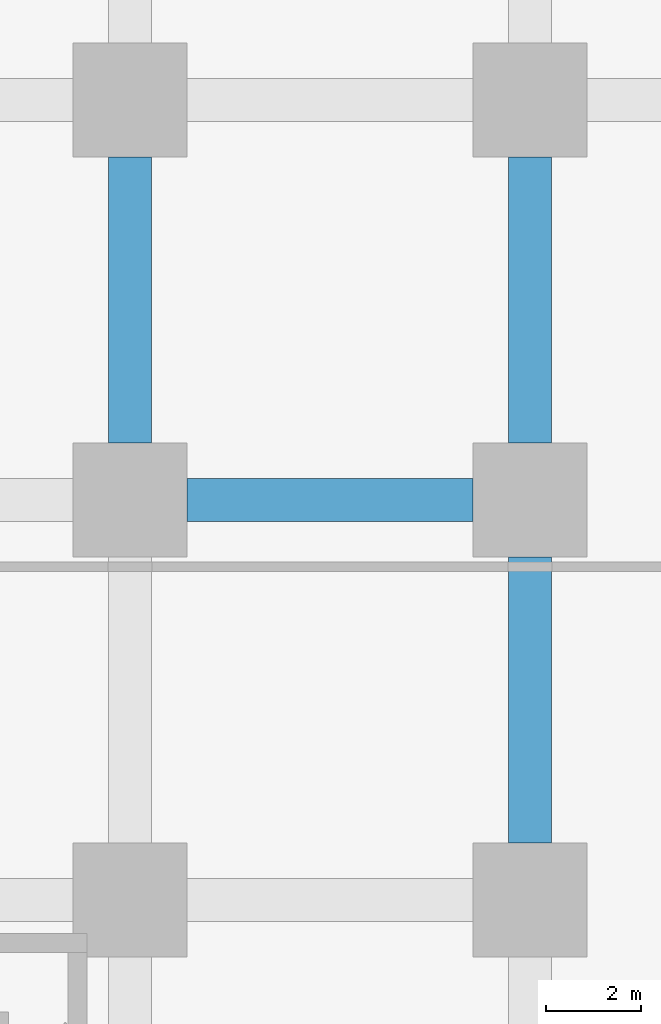
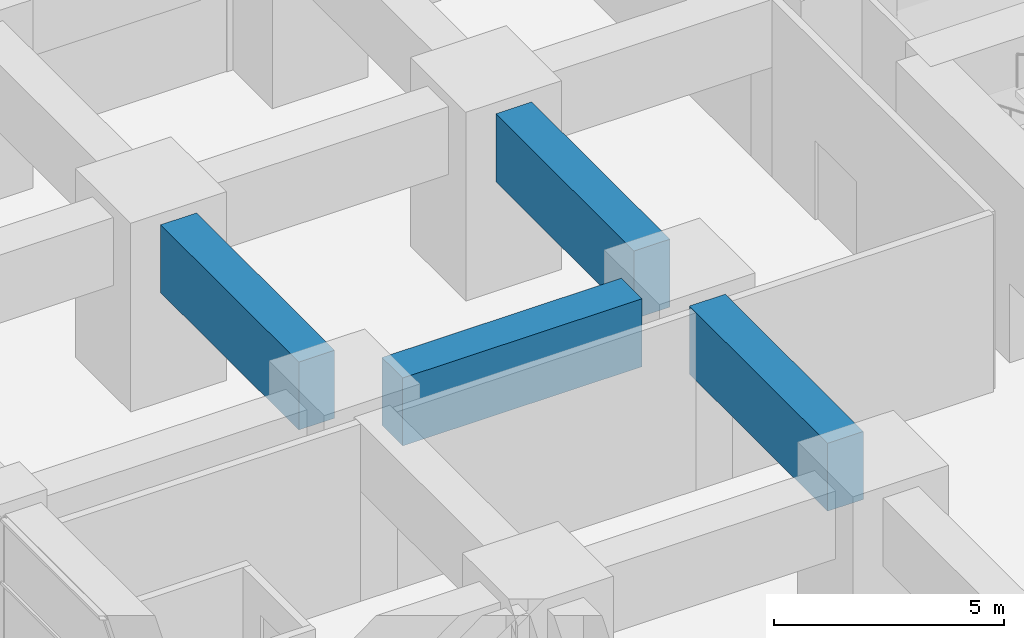
# One storey, part 20 of 48: 4 beams.
"""IFC4 building model written with IfcOpenShell, lengths in metres."""

from ifc_helpers import new_model, si_unit, direction, frame, origin, origin_2d, place, context, subcontext, project, spatial, rectangle, extrude, material, material_profile, profile_set, type_object, element, save


model = new_model("IFC4")

# Units and contexts
model_context = context("Model", 3, precision=1e-05, world=origin(), true_north=direction((0.0, 1.0)))
body_context = subcontext(model_context, "Body", "Model", "MODEL_VIEW")
ifc_project = project(units=[si_unit("LENGTHUNIT", "METRE"), si_unit("AREAUNIT", "SQUARE_METRE"), si_unit("VOLUMEUNIT", "CUBIC_METRE"), si_unit("PLANEANGLEUNIT", "RADIAN"), si_unit("MASSUNIT", "GRAM", prefix="KILO")], contexts=[model_context])

# Site, building, storey
site_placement = place(None, origin())
site = spatial("IfcSite", under=ifc_project, at=site_placement, CompositionType="ELEMENT")
building_placement = place(site_placement, origin())
building = spatial("IfcBuilding", under=site, at=building_placement, Name="Rekha Terrace Tower", CompositionType="ELEMENT")
storey_placement = place(building_placement, frame((0.0, 0.0, 15.39990234375)))
storey = spatial("IfcBuildingStorey", under=building, at=storey_placement, Name="L03", CompositionType="ELEMENT", Elevation=15.39990234375)

# Beams
ifc_material = material(Name="Concrete M60", Category="concrete")
ifc_material_profile = material_profile(ifc_material, rectangle(XDim=0.89990234375, YDim=1.800048828125, at=origin_2d()), Name="RC 900x1800")
ifc_profile_set = profile_set([ifc_material_profile], Name="Concrete M60")
beam_type = type_object("IfcBeamType", Name="G1 900x1800 podium floor beam", PredefinedType="BEAM", material=ifc_profile_set)
for number, where, z_axis, x_axis, name in (
    (1, (9.60009765625, 42.0, 3.800048828125), (1.0, 0.0, 0.0), (0.0, 1.0, 0.0), "Beam G1 2F-3F under L04"),
    (2, (8.39990234375, 43.199951171875, 3.800048828125), (0.0, 1.0, 0.0), (-1.0, 0.0, 0.0), "Beam G1 2F-2G under L04"),
    (3, (16.800048828125, 34.800048828125, 3.800048828125), (0.0, 1.0, 0.0), (-1.0, 0.0, 0.0), "Beam G1 3E-3F under L04"),
    (4, (16.800048828125, 43.199951171875, 3.800048828125), (0.0, 1.0, 0.0), (-1.0, 0.0, 0.0), "Beam G1 3F-3G under L04"),
):
    element("IfcBeam", number, at=place(storey_placement, frame(where, z_axis=z_axis, x_axis=x_axis)), inside=storey, type_object=beam_type, Name=name, PredefinedType="BEAM", context=body_context, shape_type="SweptSolid", body=[
        extrude(rectangle(XDim=0.89990234375, YDim=1.800048828125, at=origin_2d()), origin(), (0.0, 0.0, 1.0), 6.0),
    ])

save(model, "model.ifc")
